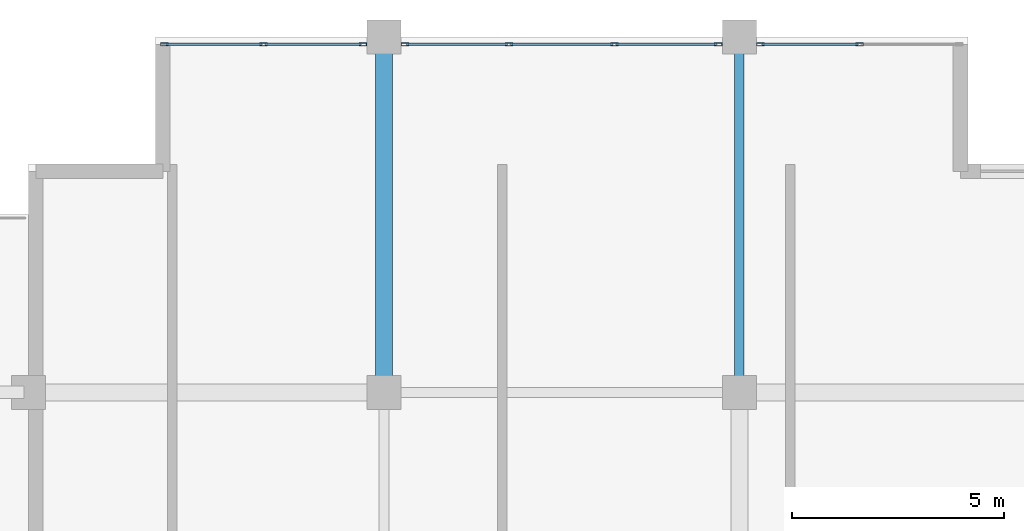
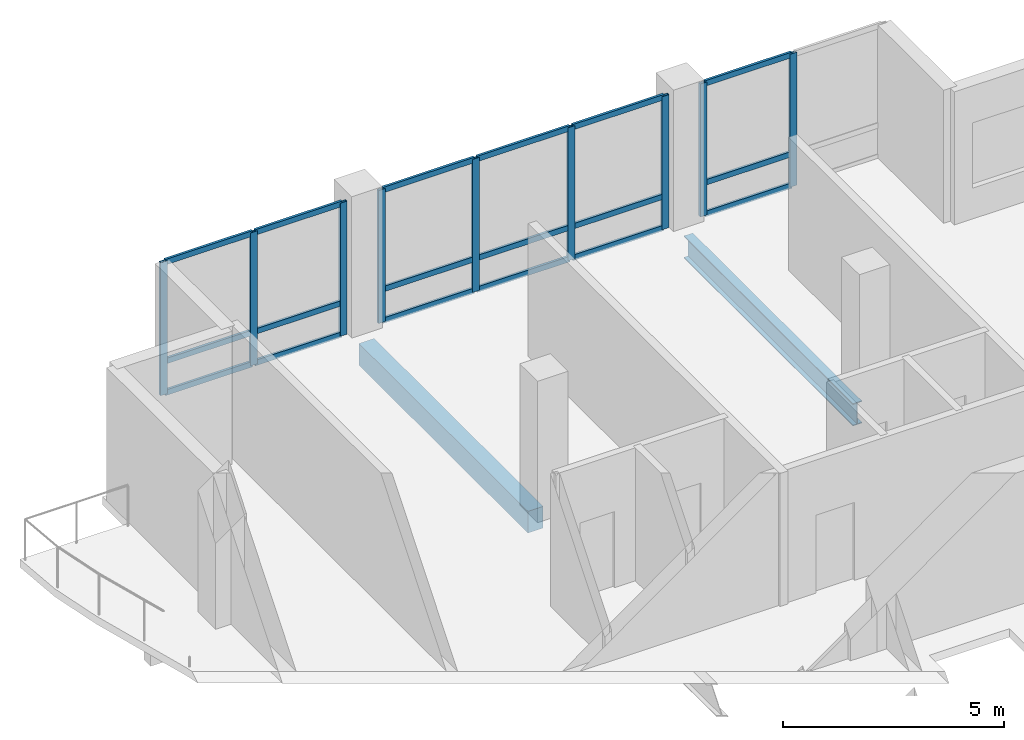
# One storey, part 3 of 17: 27 members, 2 beams, 3 elements without a shape of their own.
"""IFC4 building model written with IfcOpenShell, lengths in metres."""

from ifc_helpers import new_model, si_unit, direction, frame, origin, origin_2d, place, context, subcontext, project, spatial, rectangle, hollow_rectangle, i_section, extrude, material, layer, layer_set, material_profile, profile_set, type_object, element, aggregate, save


model = new_model("IFC4")

# Units and contexts
model_context = context("Model", 3, precision=1e-05, world=origin(), true_north=direction((0.0, 1.0)))
body_context = subcontext(model_context, "Body", "Model", "MODEL_VIEW")
ifc_project = project(units=[si_unit("LENGTHUNIT", "METRE"), si_unit("AREAUNIT", "SQUARE_METRE"), si_unit("VOLUMEUNIT", "CUBIC_METRE"), si_unit("PLANEANGLEUNIT", "RADIAN"), si_unit("MASSUNIT", "GRAM", prefix="KILO")], contexts=[model_context])

# Site, building, storey
site_placement = place(None, origin())
site = spatial("IfcSite", under=ifc_project, at=site_placement, CompositionType="ELEMENT")
building_placement = place(site_placement, origin())
building = spatial("IfcBuilding", under=site, at=building_placement, Name="Koriwani Terraces Tower", CompositionType="ELEMENT")
storey_placement = place(building_placement, frame((0.0, 0.0, 347.60009765625)))
storey = spatial("IfcBuildingStorey", under=building, at=storey_placement, Name="L86", CompositionType="ELEMENT", Elevation=347.60009765625)

# Beam
ifc_material_1 = material(Name="Concrete C40/50", Category="concrete")
ifc_material_profile_1 = material_profile(ifc_material_1, rectangle(XDim=0.39990234375, YDim=0.60009765625, at=origin_2d()), Name="Concrete C40/50", Category="LoadBearing")
ifc_profile_set_1 = profile_set([ifc_material_profile_1], Name="Concrete C40/50")
beam_type_1 = type_object("IfcBeamType", Name="BEAM_RC_GRID_400X600", PredefinedType="BEAM", material=ifc_profile_set_1)
beam_1_placement = place(storey_placement, frame((16.800048828125, 67.580078125, -0.530029296875), z_axis=(0.0, 1.0, 0.0), x_axis=(-1.0, 0.0, 0.0)))
element("IfcBeam", 1, at=beam_1_placement, inside=storey, type_object=beam_type_1, Name="L86 Grid Beam 3 (67.2-75.6m)", PredefinedType="BEAM", context=body_context, shape_type="SweptSolid", body=[
    extrude(rectangle(XDim=0.39990234375, YDim=0.60009765625, at=origin_2d()), origin(), (0.0, 0.0, 1.0), 7.639892578125),
])

# Curtain wall, members
ifc_material_2 = material(Name="Anodised Bronze Aluminium", Category="aluminium")
ifc_layer = layer(ifc_material_2, 0.18994140625, Name="Anodised Bronze Aluminium")
ifc_layer_set = layer_set([ifc_layer], Name="Anodised Bronze Aluminium")
curtain_wall_type = type_object("IfcCurtainWallType", Name="CW_PENTHOUSE_ZONE5", PredefinedType="NOTDEFINED", material=ifc_layer_set)
curtain_wall_1_placement = place(storey_placement, origin())
curtain_wall_1 = element("IfcCurtainWall", 2, at=curtain_wall_1_placement, inside=storey, type_object=curtain_wall_type, Name="L86 Unitised Curtain Wall (N_TIP) Bay 1", PredefinedType="NOTDEFINED")
ifc_material_profile_2 = material_profile(ifc_material_2, hollow_rectangle(XDim=0.074951171875, YDim=0.179931640625, WallThickness=0.006103515625, at=origin_2d()), Name="Anodised Bronze Aluminium", Category="LoadBearing")
ifc_profile_set_2 = profile_set([ifc_material_profile_2], Name="Anodised Bronze Aluminium")
member_type_1 = type_object("IfcMemberType", Name="CW_MULLION_180X75", PredefinedType="MULLION", material=ifc_profile_set_2)
member_1_placement = place(storey_placement, frame((11.612548828125, 75.425048828125, 0.0), z_axis=(0.0, 0.0, 1.0), x_axis=(0.0, 1.0, 0.0)))
member_1 = element("IfcMember", 3, at=member_1_placement, type_object=member_type_1, Name="CW-Z5 mullion 1", PredefinedType="MULLION", context=body_context, shape_type="SweptSolid", body=[
    extrude(hollow_rectangle(XDim=0.074951171875, YDim=0.179931640625, WallThickness=0.006103515625, at=origin_2d()), origin(), (0.0, 0.0, 1.0), 3.669921875),
])
member_2_placement = place(storey_placement, frame((13.95751953125, 75.425048828125, 0.0), z_axis=(0.0, 0.0, 1.0), x_axis=(0.0, 1.0, 0.0)))
member_2 = element("IfcMember", 4, at=member_2_placement, type_object=member_type_1, Name="CW-Z5 mullion 2", PredefinedType="MULLION", context=body_context, shape_type="SweptSolid", body=[
    extrude(hollow_rectangle(XDim=0.074951171875, YDim=0.179931640625, WallThickness=0.006103515625, at=origin_2d()), origin(), (0.0, 0.0, 1.0), 3.669921875),
])
member_3_placement = place(storey_placement, frame((16.302490234375, 75.425048828125, 0.0), z_axis=(0.0, 0.0, 1.0), x_axis=(0.0, 1.0, 0.0)))
member_3 = element("IfcMember", 5, at=member_3_placement, type_object=member_type_1, Name="CW-Z5 mullion 3", PredefinedType="MULLION", context=body_context, shape_type="SweptSolid", body=[
    extrude(hollow_rectangle(XDim=0.074951171875, YDim=0.179931640625, WallThickness=0.006103515625, at=origin_2d()), origin(), (0.0, 0.0, 1.0), 3.669921875),
])

curtain_wall_2_placement = place(storey_placement, origin())
curtain_wall_2 = element("IfcCurtainWall", 6, at=curtain_wall_2_placement, inside=storey, type_object=curtain_wall_type, Name="L86 Unitised Curtain Wall (N_TIP) Bay 2", PredefinedType="NOTDEFINED")
member_4_placement = place(storey_placement, frame((17.297607421875, 75.425048828125, 0.0), z_axis=(0.0, 0.0, 1.0), x_axis=(0.0, 1.0, 0.0)))
member_4 = element("IfcMember", 7, at=member_4_placement, type_object=member_type_1, Name="CW-Z5 mullion 1", PredefinedType="MULLION", context=body_context, shape_type="SweptSolid", body=[
    extrude(hollow_rectangle(XDim=0.074951171875, YDim=0.179931640625, WallThickness=0.006103515625, at=origin_2d()), origin(), (0.0, 0.0, 1.0), 3.669921875),
])
member_5_placement = place(storey_placement, frame((19.75341796875, 75.425048828125, 0.0), z_axis=(0.0, 0.0, 1.0), x_axis=(0.0, 1.0, 0.0)))
member_5 = element("IfcMember", 8, at=member_5_placement, type_object=member_type_1, Name="CW-Z5 mullion 2", PredefinedType="MULLION", context=body_context, shape_type="SweptSolid", body=[
    extrude(hollow_rectangle(XDim=0.074951171875, YDim=0.179931640625, WallThickness=0.006103515625, at=origin_2d()), origin(), (0.0, 0.0, 1.0), 3.669921875),
])
member_6_placement = place(storey_placement, frame((22.24658203125, 75.425048828125, 0.0), z_axis=(0.0, 0.0, 1.0), x_axis=(0.0, 1.0, 0.0)))
member_6 = element("IfcMember", 9, at=member_6_placement, type_object=member_type_1, Name="CW-Z5 mullion 3", PredefinedType="MULLION", context=body_context, shape_type="SweptSolid", body=[
    extrude(hollow_rectangle(XDim=0.074951171875, YDim=0.179931640625, WallThickness=0.006103515625, at=origin_2d()), origin(), (0.0, 0.0, 1.0), 3.669921875),
])
member_7_placement = place(storey_placement, frame((24.702392578125, 75.425048828125, 0.0), z_axis=(0.0, 0.0, 1.0), x_axis=(0.0, 1.0, 0.0)))
member_7 = element("IfcMember", 10, at=member_7_placement, type_object=member_type_1, Name="CW-Z5 mullion 4", PredefinedType="MULLION", context=body_context, shape_type="SweptSolid", body=[
    extrude(hollow_rectangle(XDim=0.074951171875, YDim=0.179931640625, WallThickness=0.006103515625, at=origin_2d()), origin(), (0.0, 0.0, 1.0), 3.669921875),
])

curtain_wall_3_placement = place(storey_placement, origin())
curtain_wall_3 = element("IfcCurtainWall", 11, at=curtain_wall_3_placement, inside=storey, type_object=curtain_wall_type, Name="L86 Unitised Curtain Wall (N_TIP) Bay 3", PredefinedType="NOTDEFINED")
member_8_placement = place(storey_placement, frame((25.697509765625, 75.425048828125, 0.0), z_axis=(0.0, 0.0, 1.0), x_axis=(0.0, 1.0, 0.0)))
member_8 = element("IfcMember", 12, at=member_8_placement, type_object=member_type_1, Name="CW-Z5 mullion 1", PredefinedType="MULLION", context=body_context, shape_type="SweptSolid", body=[
    extrude(hollow_rectangle(XDim=0.074951171875, YDim=0.179931640625, WallThickness=0.006103515625, at=origin_2d()), origin(), (0.0, 0.0, 1.0), 3.669921875),
])
member_9_placement = place(storey_placement, frame((28.04248046875, 75.425048828125, 0.0), z_axis=(0.0, 0.0, 1.0), x_axis=(0.0, 1.0, 0.0)))
member_9 = element("IfcMember", 13, at=member_9_placement, type_object=member_type_1, Name="CW-Z5 mullion 2", PredefinedType="MULLION", context=body_context, shape_type="SweptSolid", body=[
    extrude(hollow_rectangle(XDim=0.074951171875, YDim=0.179931640625, WallThickness=0.006103515625, at=origin_2d()), origin(), (0.0, 0.0, 1.0), 3.669921875),
])

# Member
ifc_material_profile_3 = material_profile(ifc_material_2, hollow_rectangle(XDim=0.06494140625, YDim=0.14990234375, WallThickness=0.0048828125, at=origin_2d()), Name="Anodised Bronze Aluminium", Category="LoadBearing")
ifc_profile_set_3 = profile_set([ifc_material_profile_3], Name="Anodised Bronze Aluminium")
member_type_2 = type_object("IfcMemberType", Name="CW_TRANSOM_150X65", PredefinedType="USERDEFINED", material=ifc_profile_set_3)
member_10_placement = place(storey_placement, frame((11.64990234375, 75.425048828125, 0.032470703125), z_axis=(1.0, 0.0, 0.0), x_axis=(0.0, 1.0, 0.0)))
member_10 = element("IfcMember", 14, at=member_10_placement, type_object=member_type_2, Name="CW-Z5 transom 1.1", ObjectType="TRANSOM", PredefinedType="USERDEFINED", context=body_context, shape_type="SweptSolid", body=[
    extrude(hollow_rectangle(XDim=0.06494140625, YDim=0.14990234375, WallThickness=0.0048828125, at=origin_2d()), origin(), (0.0, 0.0, 1.0), 2.27001953125),
])

member_11_placement = place(storey_placement, frame((11.64990234375, 75.425048828125, 0.89990234375), z_axis=(1.0, 0.0, 0.0), x_axis=(0.0, 1.0, 0.0)))
member_11 = element("IfcMember", 15, at=member_11_placement, type_object=member_type_2, Name="CW-Z5 transom 1.2", ObjectType="TRANSOM", PredefinedType="USERDEFINED", context=body_context, shape_type="SweptSolid", body=[
    extrude(hollow_rectangle(XDim=0.06494140625, YDim=0.14990234375, WallThickness=0.0048828125, at=origin_2d()), origin(), (0.0, 0.0, 1.0), 2.27001953125),
])

member_12_placement = place(storey_placement, frame((11.64990234375, 75.425048828125, 3.637451171875), z_axis=(1.0, 0.0, 0.0), x_axis=(0.0, 1.0, 0.0)))
member_12 = element("IfcMember", 16, at=member_12_placement, type_object=member_type_2, Name="CW-Z5 transom 1.3", ObjectType="TRANSOM", PredefinedType="USERDEFINED", context=body_context, shape_type="SweptSolid", body=[
    extrude(hollow_rectangle(XDim=0.06494140625, YDim=0.14990234375, WallThickness=0.0048828125, at=origin_2d()), origin(), (0.0, 0.0, 1.0), 2.27001953125),
])

member_13_placement = place(storey_placement, frame((13.9951171875, 75.425048828125, 0.032470703125), z_axis=(1.0, 0.0, 0.0), x_axis=(0.0, 1.0, 0.0)))
member_13 = element("IfcMember", 17, at=member_13_placement, type_object=member_type_2, Name="CW-Z5 transom 2.1", ObjectType="TRANSOM", PredefinedType="USERDEFINED", context=body_context, shape_type="SweptSolid", body=[
    extrude(hollow_rectangle(XDim=0.06494140625, YDim=0.14990234375, WallThickness=0.0048828125, at=origin_2d()), origin(), (0.0, 0.0, 1.0), 2.269775390625),
])

member_14_placement = place(storey_placement, frame((13.9951171875, 75.425048828125, 0.89990234375), z_axis=(1.0, 0.0, 0.0), x_axis=(0.0, 1.0, 0.0)))
member_14 = element("IfcMember", 18, at=member_14_placement, type_object=member_type_2, Name="CW-Z5 transom 2.2", ObjectType="TRANSOM", PredefinedType="USERDEFINED", context=body_context, shape_type="SweptSolid", body=[
    extrude(hollow_rectangle(XDim=0.06494140625, YDim=0.14990234375, WallThickness=0.0048828125, at=origin_2d()), origin(), (0.0, 0.0, 1.0), 2.269775390625),
])

member_15_placement = place(storey_placement, frame((13.9951171875, 75.425048828125, 3.637451171875), z_axis=(1.0, 0.0, 0.0), x_axis=(0.0, 1.0, 0.0)))
member_15 = element("IfcMember", 19, at=member_15_placement, type_object=member_type_2, Name="CW-Z5 transom 2.3", ObjectType="TRANSOM", PredefinedType="USERDEFINED", context=body_context, shape_type="SweptSolid", body=[
    extrude(hollow_rectangle(XDim=0.06494140625, YDim=0.14990234375, WallThickness=0.0048828125, at=origin_2d()), origin(), (0.0, 0.0, 1.0), 2.269775390625),
])

aggregate(curtain_wall_1, [member_1, member_2, member_3, member_10, member_11, member_12, member_13, member_14, member_15])

member_16_placement = place(storey_placement, frame((17.3349609375, 75.425048828125, 0.032470703125), z_axis=(1.0, 0.0, 0.0), x_axis=(0.0, 1.0, 0.0)))
member_16 = element("IfcMember", 20, at=member_16_placement, type_object=member_type_2, Name="CW-Z5 transom 1.1", ObjectType="TRANSOM", PredefinedType="USERDEFINED", context=body_context, shape_type="SweptSolid", body=[
    extrude(hollow_rectangle(XDim=0.06494140625, YDim=0.14990234375, WallThickness=0.0048828125, at=origin_2d()), origin(), (0.0, 0.0, 1.0), 2.380859375),
])

member_17_placement = place(storey_placement, frame((17.3349609375, 75.425048828125, 0.89990234375), z_axis=(1.0, 0.0, 0.0), x_axis=(0.0, 1.0, 0.0)))
member_17 = element("IfcMember", 21, at=member_17_placement, type_object=member_type_2, Name="CW-Z5 transom 1.2", ObjectType="TRANSOM", PredefinedType="USERDEFINED", context=body_context, shape_type="SweptSolid", body=[
    extrude(hollow_rectangle(XDim=0.06494140625, YDim=0.14990234375, WallThickness=0.0048828125, at=origin_2d()), origin(), (0.0, 0.0, 1.0), 2.380859375),
])

member_18_placement = place(storey_placement, frame((17.3349609375, 75.425048828125, 3.637451171875), z_axis=(1.0, 0.0, 0.0), x_axis=(0.0, 1.0, 0.0)))
member_18 = element("IfcMember", 22, at=member_18_placement, type_object=member_type_2, Name="CW-Z5 transom 1.3", ObjectType="TRANSOM", PredefinedType="USERDEFINED", context=body_context, shape_type="SweptSolid", body=[
    extrude(hollow_rectangle(XDim=0.06494140625, YDim=0.14990234375, WallThickness=0.0048828125, at=origin_2d()), origin(), (0.0, 0.0, 1.0), 2.380859375),
])

member_19_placement = place(storey_placement, frame((19.790771484375, 75.425048828125, 0.032470703125), z_axis=(1.0, 0.0, 0.0), x_axis=(0.0, 1.0, 0.0)))
member_19 = element("IfcMember", 23, at=member_19_placement, type_object=member_type_2, Name="CW-Z5 transom 2.1", ObjectType="TRANSOM", PredefinedType="USERDEFINED", context=body_context, shape_type="SweptSolid", body=[
    extrude(hollow_rectangle(XDim=0.06494140625, YDim=0.14990234375, WallThickness=0.0048828125, at=origin_2d()), origin(), (0.0, 0.0, 1.0), 2.41845703125),
])

member_20_placement = place(storey_placement, frame((19.790771484375, 75.425048828125, 0.89990234375), z_axis=(1.0, 0.0, 0.0), x_axis=(0.0, 1.0, 0.0)))
member_20 = element("IfcMember", 24, at=member_20_placement, type_object=member_type_2, Name="CW-Z5 transom 2.2", ObjectType="TRANSOM", PredefinedType="USERDEFINED", context=body_context, shape_type="SweptSolid", body=[
    extrude(hollow_rectangle(XDim=0.06494140625, YDim=0.14990234375, WallThickness=0.0048828125, at=origin_2d()), origin(), (0.0, 0.0, 1.0), 2.41845703125),
])

member_21_placement = place(storey_placement, frame((19.790771484375, 75.425048828125, 3.637451171875), z_axis=(1.0, 0.0, 0.0), x_axis=(0.0, 1.0, 0.0)))
member_21 = element("IfcMember", 25, at=member_21_placement, type_object=member_type_2, Name="CW-Z5 transom 2.3", ObjectType="TRANSOM", PredefinedType="USERDEFINED", context=body_context, shape_type="SweptSolid", body=[
    extrude(hollow_rectangle(XDim=0.06494140625, YDim=0.14990234375, WallThickness=0.0048828125, at=origin_2d()), origin(), (0.0, 0.0, 1.0), 2.41845703125),
])

member_22_placement = place(storey_placement, frame((22.2841796875, 75.425048828125, 0.032470703125), z_axis=(1.0, 0.0, 0.0), x_axis=(0.0, 1.0, 0.0)))
member_22 = element("IfcMember", 26, at=member_22_placement, type_object=member_type_2, Name="CW-Z5 transom 3.1", ObjectType="TRANSOM", PredefinedType="USERDEFINED", context=body_context, shape_type="SweptSolid", body=[
    extrude(hollow_rectangle(XDim=0.06494140625, YDim=0.14990234375, WallThickness=0.0048828125, at=origin_2d()), origin(), (0.0, 0.0, 1.0), 2.380859375),
])

member_23_placement = place(storey_placement, frame((22.2841796875, 75.425048828125, 0.89990234375), z_axis=(1.0, 0.0, 0.0), x_axis=(0.0, 1.0, 0.0)))
member_23 = element("IfcMember", 27, at=member_23_placement, type_object=member_type_2, Name="CW-Z5 transom 3.2", ObjectType="TRANSOM", PredefinedType="USERDEFINED", context=body_context, shape_type="SweptSolid", body=[
    extrude(hollow_rectangle(XDim=0.06494140625, YDim=0.14990234375, WallThickness=0.0048828125, at=origin_2d()), origin(), (0.0, 0.0, 1.0), 2.380859375),
])

member_24_placement = place(storey_placement, frame((22.2841796875, 75.425048828125, 3.637451171875), z_axis=(1.0, 0.0, 0.0), x_axis=(0.0, 1.0, 0.0)))
member_24 = element("IfcMember", 28, at=member_24_placement, type_object=member_type_2, Name="CW-Z5 transom 3.3", ObjectType="TRANSOM", PredefinedType="USERDEFINED", context=body_context, shape_type="SweptSolid", body=[
    extrude(hollow_rectangle(XDim=0.06494140625, YDim=0.14990234375, WallThickness=0.0048828125, at=origin_2d()), origin(), (0.0, 0.0, 1.0), 2.380859375),
])

aggregate(curtain_wall_2, [member_4, member_5, member_6, member_7, member_16, member_17, member_18, member_19, member_20, member_21, member_22, member_23, member_24])

member_25_placement = place(storey_placement, frame((25.735107421875, 75.425048828125, 0.032470703125), z_axis=(1.0, 0.0, 0.0), x_axis=(0.0, 1.0, 0.0)))
member_25 = element("IfcMember", 29, at=member_25_placement, type_object=member_type_2, Name="CW-Z5 transom 1.1", ObjectType="TRANSOM", PredefinedType="USERDEFINED", context=body_context, shape_type="SweptSolid", body=[
    extrude(hollow_rectangle(XDim=0.06494140625, YDim=0.14990234375, WallThickness=0.0048828125, at=origin_2d()), origin(), (0.0, 0.0, 1.0), 2.269775390625),
])

member_26_placement = place(storey_placement, frame((25.735107421875, 75.425048828125, 0.89990234375), z_axis=(1.0, 0.0, 0.0), x_axis=(0.0, 1.0, 0.0)))
member_26 = element("IfcMember", 30, at=member_26_placement, type_object=member_type_2, Name="CW-Z5 transom 1.2", ObjectType="TRANSOM", PredefinedType="USERDEFINED", context=body_context, shape_type="SweptSolid", body=[
    extrude(hollow_rectangle(XDim=0.06494140625, YDim=0.14990234375, WallThickness=0.0048828125, at=origin_2d()), origin(), (0.0, 0.0, 1.0), 2.269775390625),
])

member_27_placement = place(storey_placement, frame((25.735107421875, 75.425048828125, 3.637451171875), z_axis=(1.0, 0.0, 0.0), x_axis=(0.0, 1.0, 0.0)))
member_27 = element("IfcMember", 31, at=member_27_placement, type_object=member_type_2, Name="CW-Z5 transom 1.3", ObjectType="TRANSOM", PredefinedType="USERDEFINED", context=body_context, shape_type="SweptSolid", body=[
    extrude(hollow_rectangle(XDim=0.06494140625, YDim=0.14990234375, WallThickness=0.0048828125, at=origin_2d()), origin(), (0.0, 0.0, 1.0), 2.269775390625),
])

aggregate(curtain_wall_3, [member_8, member_9, member_25, member_26, member_27])

# Beam
ifc_material_3 = material(Name="Steel ASTM A572 Grade 50", Category="steel")
ifc_material_profile_4 = material_profile(ifc_material_3, i_section(OverallWidth=0.23095703125, OverallDepth=0.616943359375, WebThickness=0.015380859375, FlangeThickness=0.0244140625, at=origin_2d()), Name="Steel ASTM A572 Grade 50", Category="LoadBearing")
ifc_profile_set_4 = profile_set([ifc_material_profile_4], Name="Steel ASTM A572 Grade 50")
beam_type_2 = type_object("IfcBeamType", Name="STEEL_BEAM_W610X195", PredefinedType="BEAM", material=ifc_profile_set_4)
beam_2_placement = place(storey_placement, frame((25.199951171875, 67.580078125, -0.53857421875), z_axis=(0.0, 1.0, 0.0), x_axis=(-1.0, 0.0, 0.0)))
element("IfcBeam", 32, at=beam_2_placement, inside=storey, type_object=beam_type_2, Name="L86 Grid Beam 4 (67.2-75.6m)", PredefinedType="BEAM", context=body_context, shape_type="SweptSolid", body=[
    extrude(i_section(OverallWidth=0.23095703125, OverallDepth=0.616943359375, WebThickness=0.015380859375, FlangeThickness=0.0244140625, at=origin_2d()), origin(), (0.0, 0.0, 1.0), 7.639892578125),
])

save(model, "model.ifc")
